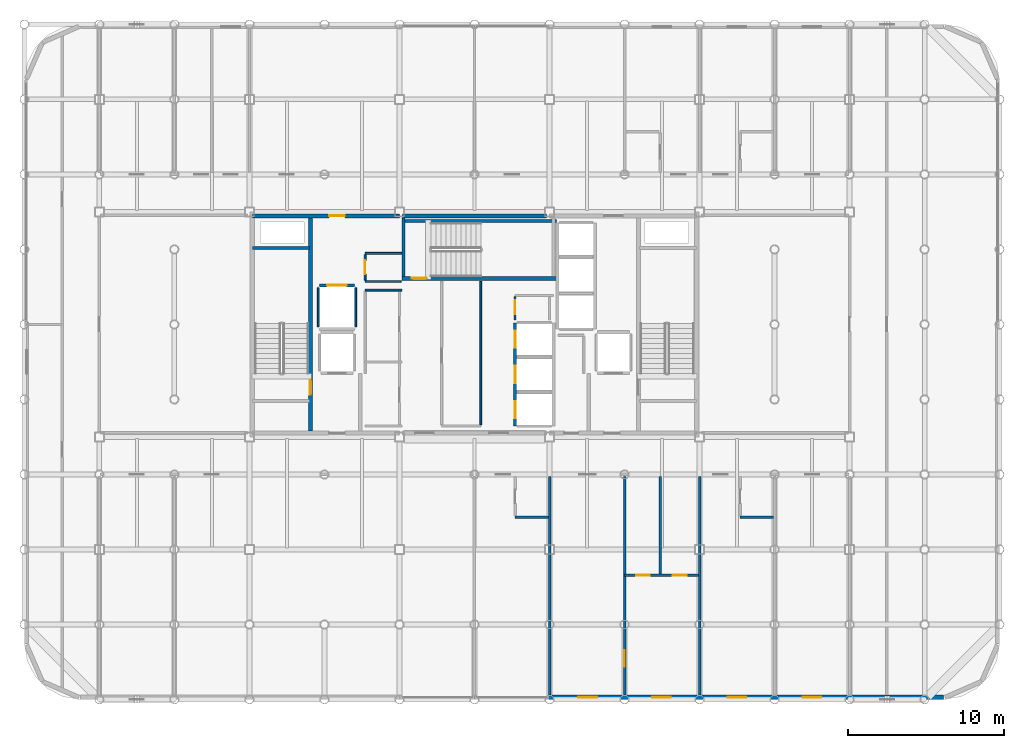
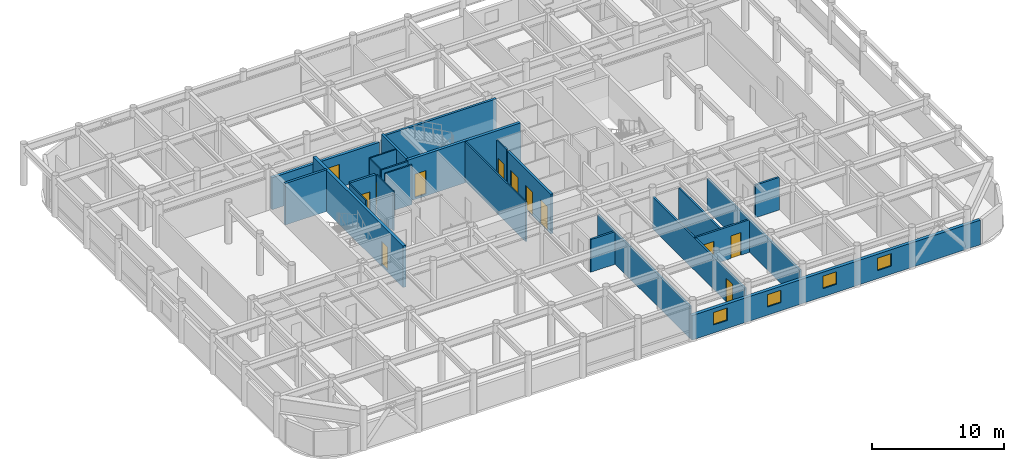
# One storey, part 18 of 22: 25 walls, 12 doors, 4 windows, 16 openings.
"""IFC4 building model written with IfcOpenShell, lengths in metres."""

from ifc_helpers import new_model, si_unit, direction, frame, frame_2d, origin, place, context, subcontext, project, spatial, rectangle, extrude, material, layer, layer_set, type_object, element, fill, save


model = new_model("IFC4")

# Units and contexts
model_context = context("Model", 3, precision=1e-05, world=origin(), true_north=direction((0.0, 1.0)))
body_context = subcontext(model_context, "Body", "Model", "MODEL_VIEW")
ifc_project = project(units=[si_unit("LENGTHUNIT", "METRE"), si_unit("AREAUNIT", "SQUARE_METRE"), si_unit("VOLUMEUNIT", "CUBIC_METRE"), si_unit("PLANEANGLEUNIT", "RADIAN"), si_unit("MASSUNIT", "GRAM", prefix="KILO")], contexts=[model_context])

# Site, building, storey
site_placement = place(None, origin())
site = spatial("IfcSite", under=ifc_project, at=site_placement, CompositionType="ELEMENT")
building_placement = place(site_placement, origin())
building = spatial("IfcBuilding", under=site, at=building_placement, Name="Kallvorn Hotel Tower", CompositionType="ELEMENT")
storey_placement = place(building_placement, frame((0.0, 0.0, 203.050048828125)))
storey = spatial("IfcBuildingStorey", under=building, at=storey_placement, Name="L50", CompositionType="ELEMENT", Elevation=203.050048828125)

# Wall, openings, doors
ifc_material_1 = material(Name="Fire-rated double-layer acoustic gypsum drywall EI 60")
ifc_layer_1 = layer(ifc_material_1, 0.159912109375)
ifc_layer_set_1 = layer_set([ifc_layer_1], Name="WL_DEMISE_160")
wall_type_1 = type_object("IfcWallType", Name="WL_DEMISE_160", PredefinedType="PARTITIONING", material=ifc_layer_set_1)
wall_1_placement = place(storey_placement, frame((9.60009765625, -16.050048828125, 0.0), z_axis=(0.0, 0.0, 1.0), x_axis=(1.0, 0.0, 0.0)))
wall_1 = element("IfcWall", 1, at=wall_1_placement, inside=storey, type_object=wall_type_1, Name="L50 Suite 5002 Executive Bedroom Partition", PredefinedType="PARTITIONING", context=body_context, shape_type="SweptSolid", body=[
    extrude(rectangle(XDim=4.719970703125, YDim=0.159912109375, at=frame_2d((2.35986328125, 0.0))), origin(), (0.0, 0.0, 1.0), 3.02001953125),
])
opening_1_placement = place(wall_1_placement, frame((0.75, 0.0, 0.0)))
opening_1 = element("IfcOpeningElement", 2, at=opening_1_placement, cuts=wall_1, Name="Opening BD-I", PredefinedType="OPENING", context=body_context, shape_type="SweptSolid", body=[
    extrude(rectangle(XDim=0.860107421875, YDim=2.10009765625, at=frame_2d((0.43017578125, 1.050048828125))), frame((0.0, 0.094970703125, 0.0), z_axis=(0.0, -1.0, 0.0), x_axis=(1.0, 0.0, 0.0)), (0.0, 0.0, 1.0), 0.18994140625),
])
opening_2_placement = place(wall_1_placement, frame((3.090087890625, 0.0, 0.0)))
opening_2 = element("IfcOpeningElement", 3, at=opening_2_placement, cuts=wall_1, Name="Opening SVD1", PredefinedType="OPENING", context=body_context, shape_type="SweptSolid", body=[
    extrude(rectangle(XDim=0.89990234375, YDim=2.10009765625, at=frame_2d((0.449951171875, 1.050048828125))), frame((0.0, 0.094970703125, 0.0), z_axis=(0.0, -1.0, 0.0), x_axis=(1.0, 0.0, 0.0)), (0.0, 0.0, 1.0), 0.18994140625),
])
ifc_material_2 = material(Name="Solid-core walnut veneer fire-rated timber door leaf", Category="wood")
door_type_1 = type_object("IfcDoorType", Name="DR_BATH_860x2100", OperationType="NOTDEFINED", PredefinedType="DOOR", material=ifc_material_2)
door_1_placement = place(opening_1_placement, origin())
door_1 = element("IfcDoor", 4, at=door_1_placement, inside=storey, type_object=door_type_1, Name="L50 Suite 5002 En-Suite Bathroom Door", OperationType="SINGLE_SWING_LEFT", OverallHeight=2.10009765625, OverallWidth=0.860107421875, PredefinedType="DOOR", context=body_context, shape_type="SweptSolid", body=[
    extrude(rectangle(XDim=0.860107421875, YDim=2.10009765625, at=frame_2d((0.43017578125, 1.050048828125))), frame((0.0, 0.02490234375, 0.0), z_axis=(0.0, -1.0, 0.0), x_axis=(1.0, 0.0, 0.0)), (0.0, 0.0, 1.0), 0.050048828125),
])
fill(opening_1, door_1)
ifc_material_3 = material(Name="Galvanised painted steel fire-rated door assembly", Category="steel")
door_type_2 = type_object("IfcDoorType", Name="DR_SERV_900x2100", OperationType="NOTDEFINED", PredefinedType="DOOR", material=ifc_material_3)
door_2_placement = place(opening_2_placement, origin())
door_2 = element("IfcDoor", 5, at=door_2_placement, inside=storey, type_object=door_type_2, Name="L50 Suite 5002 Walk-In Dressing Closet Door", OperationType="SINGLE_SWING_LEFT", OverallHeight=2.10009765625, OverallWidth=0.89990234375, PredefinedType="DOOR", context=body_context, shape_type="SweptSolid", body=[
    extrude(rectangle(XDim=0.89990234375, YDim=2.10009765625, at=frame_2d((0.449951171875, 1.050048828125))), frame((0.0, 0.02490234375, 0.0), z_axis=(0.0, -1.0, 0.0), x_axis=(1.0, 0.0, 0.0)), (0.0, 0.0, 1.0), 0.050048828125),
])
fill(opening_2, door_2)

# Walls
wall_2_placement = place(storey_placement, frame((2.590087890625, -12.320068359375, 0.0), z_axis=(0.0, 0.0, 1.0), x_axis=(1.0, 0.0, 0.0)))
element("IfcWall", 6, at=wall_2_placement, inside=storey, type_object=wall_type_1, Name="L50 Suite 5001 Deluxe King Room Partition", PredefinedType="PARTITIONING", context=body_context, shape_type="SweptSolid", body=[
    extrude(rectangle(XDim=2.1298828125, YDim=0.159912109375, at=frame_2d((1.06494140625, 0.0))), origin(), (0.0, 0.0, 1.0), 3.02001953125),
])
wall_3_placement = place(storey_placement, frame((16.989990234375, -12.320068359375, 0.0), z_axis=(0.0, 0.0, 1.0), x_axis=(1.0, 0.0, 0.0)))
element("IfcWall", 7, at=wall_3_placement, inside=storey, type_object=wall_type_1, Name="L50 Suite 5003 Superior Twin Room Partition", PredefinedType="PARTITIONING", context=body_context, shape_type="SweptSolid", body=[
    extrude(rectangle(XDim=2.130126953125, YDim=0.159912109375, at=frame_2d((1.06494140625, 0.0))), origin(), (0.0, 0.0, 1.0), 3.02001953125),
])
wall_4_placement = place(storey_placement, frame((4.800048828125, -23.7099609375, 0.0), z_axis=(0.0, 0.0, 1.0), x_axis=(0.0, 1.0, 0.0)))
element("IfcWall", 8, at=wall_4_placement, inside=storey, type_object=wall_type_1, Name="L50 Suite 5001 Deluxe King Room Partition", PredefinedType="PARTITIONING", context=body_context, shape_type="SweptSolid", body=[
    extrude(rectangle(XDim=13.989990234375, YDim=0.159912109375, at=frame_2d((6.9951171875, 0.0))), origin(), (0.0, 0.0, 1.0), 2.969970703125),
])

# Wall, opening, door
wall_5_placement = place(storey_placement, frame((9.60009765625, -23.7099609375, 0.0), z_axis=(0.0, 0.0, 1.0), x_axis=(0.0, 1.0, 0.0)))
wall_5 = element("IfcWall", 9, at=wall_5_placement, inside=storey, type_object=wall_type_1, Name="L50 Suite 5002 Executive Bedroom Partition", PredefinedType="PARTITIONING", context=body_context, shape_type="SweptSolid", body=[
    extrude(rectangle(XDim=13.989990234375, YDim=0.159912109375, at=frame_2d((6.9951171875, 0.0))), origin(), (0.0, 0.0, 1.0), 2.969970703125),
])
opening_3_placement = place(wall_5_placement, frame((1.802978515625, 0.0, 0.0)))
opening_3 = element("IfcOpeningElement", 10, at=opening_3_placement, cuts=wall_5, Name="Opening GD2", PredefinedType="OPENING", context=body_context, shape_type="SweptSolid", body=[
    extrude(rectangle(XDim=1.050048828125, YDim=2.199951171875, at=frame_2d((0.52490234375, 1.10009765625))), frame((0.0, 0.094970703125, 0.0), z_axis=(0.0, -1.0, 0.0), x_axis=(1.0, 0.0, 0.0)), (0.0, 0.0, 1.0), 0.18994140625),
])
ifc_material_4 = material(Name="Solid-core walnut veneer fire-rated timber door leaf", Category="wood")
door_type_3 = type_object("IfcDoorType", Name="DR_SUITE_1050x2200", OperationType="NOTDEFINED", PredefinedType="DOOR", material=ifc_material_4)
door_3_placement = place(opening_3_placement, origin())
door_3 = element("IfcDoor", 11, at=door_3_placement, inside=storey, type_object=door_type_3, Name="L50 Suite 5002 Executive Bedroom Door", OperationType="SINGLE_SWING_LEFT", OverallHeight=2.199951171875, OverallWidth=1.050048828125, PredefinedType="DOOR", context=body_context, shape_type="SweptSolid", body=[
    extrude(rectangle(XDim=1.050048828125, YDim=2.199951171875, at=frame_2d((0.52490234375, 1.10009765625))), frame((0.0, 0.02490234375, 0.0), z_axis=(0.0, -1.0, 0.0), x_axis=(1.0, 0.0, 0.0)), (0.0, 0.0, 1.0), 0.050048828125),
])
fill(opening_3, door_3)

# Wall
wall_6_placement = place(storey_placement, frame((14.39990234375, -23.7099609375, 0.0), z_axis=(0.0, 0.0, 1.0), x_axis=(0.0, 1.0, 0.0)))
element("IfcWall", 12, at=wall_6_placement, inside=storey, type_object=wall_type_1, Name="L50 Suite 5002 Executive Bedroom Partition", PredefinedType="PARTITIONING", context=body_context, shape_type="SweptSolid", body=[
    extrude(rectangle(XDim=13.989990234375, YDim=0.159912109375, at=frame_2d((6.9951171875, 0.0))), origin(), (0.0, 0.0, 1.0), 2.969970703125),
])

# Wall, openings, windows
ifc_material_5 = material(Name="Precast basalt-clad insulated concrete wall C40/50", Category="masonry")
ifc_layer_2 = layer(ifc_material_5, 0.280029296875)
ifc_layer_set_2 = layer_set([ifc_layer_2], Name="WL_EXT_LOGGIA_280")
wall_type_2 = type_object("IfcWallType", Name="WL_EXT_LOGGIA_280", PredefinedType="SOLIDWALL", material=ifc_layer_set_2)
wall_7_placement = place(storey_placement, frame((4.75, -23.860107421875, 0.0), z_axis=(0.0, 0.0, 1.0), x_axis=(1.0, 0.0, 0.0)))
wall_7 = element("IfcWall", 13, at=wall_7_placement, inside=storey, type_object=wall_type_2, Name="L50 Exterior Envelope Wall EW-L50-SE", PredefinedType="SOLIDWALL", context=body_context, shape_type="SweptSolid", body=[
    extrude(rectangle(XDim=25.25, YDim=0.280029296875, at=frame_2d((12.625, 0.0))), origin(), (0.0, 0.0, 1.0), 2.27001953125),
])
opening_4_placement = place(wall_7_placement, frame((16.25, 0.0, 0.75)))
opening_4 = element("IfcOpeningElement", 14, at=opening_4_placement, cuts=wall_7, Name="Opening W06A", PredefinedType="OPENING", context=body_context, shape_type="SweptSolid", body=[
    extrude(rectangle(XDim=1.199951171875, YDim=1.14990234375, at=frame_2d((0.60009765625, 0.574951171875))), frame((0.0, 0.155029296875, 0.0), z_axis=(0.0, -1.0, 0.0), x_axis=(1.0, 0.0, 0.0)), (0.0, 0.0, 1.0), 0.31005859375),
])
opening_5_placement = place(wall_7_placement, frame((1.889892578125, 0.0, 0.75)))
opening_5 = element("IfcOpeningElement", 15, at=opening_5_placement, cuts=wall_7, Name="Opening W06A", PredefinedType="OPENING", context=body_context, shape_type="SweptSolid", body=[
    extrude(rectangle(XDim=1.199951171875, YDim=1.14990234375, at=frame_2d((0.60009765625, 0.574951171875))), frame((0.0, 0.155029296875, 0.0), z_axis=(0.0, -1.0, 0.0), x_axis=(1.0, 0.0, 0.0)), (0.0, 0.0, 1.0), 0.31005859375),
])
opening_6_placement = place(wall_7_placement, frame((6.610107421875, 0.0, 0.75)))
opening_6 = element("IfcOpeningElement", 16, at=opening_6_placement, cuts=wall_7, Name="Opening W06A", PredefinedType="OPENING", context=body_context, shape_type="SweptSolid", body=[
    extrude(rectangle(XDim=1.199951171875, YDim=1.14990234375, at=frame_2d((0.60009765625, 0.574951171875))), frame((0.0, 0.155029296875, 0.0), z_axis=(0.0, -1.0, 0.0), x_axis=(1.0, 0.0, 0.0)), (0.0, 0.0, 1.0), 0.31005859375),
])
opening_7_placement = place(wall_7_placement, frame((11.449951171875, 0.0, 0.75)))
opening_7 = element("IfcOpeningElement", 17, at=opening_7_placement, cuts=wall_7, Name="Opening W06A", PredefinedType="OPENING", context=body_context, shape_type="SweptSolid", body=[
    extrude(rectangle(XDim=1.199951171875, YDim=1.14990234375, at=frame_2d((0.60009765625, 0.574951171875))), frame((0.0, 0.155029296875, 0.0), z_axis=(0.0, -1.0, 0.0), x_axis=(1.0, 0.0, 0.0)), (0.0, 0.0, 1.0), 0.31005859375),
])
ifc_material_6 = material(Name="Triple-glazed low-e acoustic solar-control dark glass", Category="glass")
window_type = type_object("IfcWindowType", Name="WN_HTL_1200x1150", PartitioningType="SINGLE_PANEL", PredefinedType="WINDOW", material=ifc_material_6)
window_1_placement = place(opening_4_placement, origin())
window_1 = element("IfcWindow", 18, at=window_1_placement, inside=storey, type_object=window_type, Name="L50 Guestroom Exterior Window 01", OverallHeight=1.14990234375, OverallWidth=1.199951171875, PartitioningType="SINGLE_PANEL", PredefinedType="WINDOW", context=body_context, shape_type="SweptSolid", body=[
    extrude(rectangle(XDim=1.199951171875, YDim=1.14990234375, at=frame_2d((0.60009765625, 0.574951171875))), frame((0.0, 0.030029296875, 0.0), z_axis=(0.0, -1.0, 0.0), x_axis=(1.0, 0.0, 0.0)), (0.0, 0.0, 1.0), 0.06005859375),
])
fill(opening_4, window_1)
window_2_placement = place(opening_5_placement, origin())
window_2 = element("IfcWindow", 19, at=window_2_placement, inside=storey, type_object=window_type, Name="L50 Guestroom Exterior Window 04", OverallHeight=1.14990234375, OverallWidth=1.199951171875, PartitioningType="SINGLE_PANEL", PredefinedType="WINDOW", context=body_context, shape_type="SweptSolid", body=[
    extrude(rectangle(XDim=1.199951171875, YDim=1.14990234375, at=frame_2d((0.60009765625, 0.574951171875))), frame((0.0, 0.030029296875, 0.0), z_axis=(0.0, -1.0, 0.0), x_axis=(1.0, 0.0, 0.0)), (0.0, 0.0, 1.0), 0.06005859375),
])
fill(opening_5, window_2)
window_3_placement = place(opening_6_placement, origin())
window_3 = element("IfcWindow", 20, at=window_3_placement, inside=storey, type_object=window_type, Name="L50 Guestroom Exterior Window 05", OverallHeight=1.14990234375, OverallWidth=1.199951171875, PartitioningType="SINGLE_PANEL", PredefinedType="WINDOW", context=body_context, shape_type="SweptSolid", body=[
    extrude(rectangle(XDim=1.199951171875, YDim=1.14990234375, at=frame_2d((0.60009765625, 0.574951171875))), frame((0.0, 0.030029296875, 0.0), z_axis=(0.0, -1.0, 0.0), x_axis=(1.0, 0.0, 0.0)), (0.0, 0.0, 1.0), 0.06005859375),
])
fill(opening_6, window_3)
window_4_placement = place(opening_7_placement, origin())
window_4 = element("IfcWindow", 21, at=window_4_placement, inside=storey, type_object=window_type, Name="L50 Guestroom Exterior Window 06", OverallHeight=1.14990234375, OverallWidth=1.199951171875, PartitioningType="SINGLE_PANEL", PredefinedType="WINDOW", context=body_context, shape_type="SweptSolid", body=[
    extrude(rectangle(XDim=1.199951171875, YDim=1.14990234375, at=frame_2d((0.60009765625, 0.574951171875))), frame((0.0, 0.030029296875, 0.0), z_axis=(0.0, -1.0, 0.0), x_axis=(1.0, 0.0, 0.0)), (0.0, 0.0, 1.0), 0.06005859375),
])
fill(opening_7, window_4)

# Walls
ifc_material_7 = material(Name="Concrete C40/50", Category="concrete")
ifc_layer_3 = layer(ifc_material_7, 0.199951171875)
ifc_layer_set_3 = layer_set([ifc_layer_3], Name="WL_HOIST_200")
wall_type_3 = type_object("IfcWallType", Name="WL_HOIST_200", PredefinedType="SOLIDWALL", material=ifc_layer_set_3)
wall_8_placement = place(storey_placement, frame((-14.199951171875, 4.89990234375, -0.179931640625), z_axis=(0.0, 0.0, 1.0), x_axis=(1.0, 0.0, 0.0)))
element("IfcWall", 22, at=wall_8_placement, inside=storey, type_object=wall_type_3, Name="L50 Stair ST1 North Wall", PredefinedType="SOLIDWALL", context=body_context, shape_type="SweptSolid", body=[
    extrude(rectangle(XDim=3.64990234375, YDim=0.199951171875, at=frame_2d((1.824951171875, 0.0))), origin(), (0.0, 0.0, 1.0), 3.849853515625),
])
wall_9_placement = place(storey_placement, frame((-4.64990234375, 6.610107421875, -0.179931640625), z_axis=(0.0, 0.0, 1.0), x_axis=(1.0, 0.0, 0.0)))
element("IfcWall", 23, at=wall_9_placement, inside=storey, type_object=wall_type_3, Name="L50 Stair ST3 Shaft North Wall", PredefinedType="SOLIDWALL", context=body_context, shape_type="SweptSolid", body=[
    extrude(rectangle(XDim=9.89990234375, YDim=0.199951171875, at=frame_2d((4.949951171875, 0.0))), origin(), (0.0, 0.0, 1.0), 3.849853515625),
])
wall_10_placement = place(storey_placement, frame((-4.550048828125, 3.080078125, -0.179931640625), z_axis=(0.0, 0.0, 1.0), x_axis=(0.0, 1.0, 0.0)))
element("IfcWall", 24, at=wall_10_placement, inside=storey, type_object=wall_type_3, Name="L50 Stair ST3 West Wall", PredefinedType="SOLIDWALL", context=body_context, shape_type="SweptSolid", body=[
    extrude(rectangle(XDim=3.739990234375, YDim=0.199951171875, at=frame_2d((1.8701171875, 0.0))), origin(), (0.0, 0.0, 1.0), 3.849853515625),
])

# Wall, openings, doors
wall_11_placement = place(storey_placement, frame((2.60009765625, -6.5, 0.0), z_axis=(0.0, 0.0, 1.0), x_axis=(0.0, 1.0, 0.0)))
wall_11 = element("IfcWall", 25, at=wall_11_placement, inside=storey, type_object=wall_type_3, Name="L50 Lift Bank B3A Landing Wall", PredefinedType="SOLIDWALL", context=body_context, shape_type="SweptSolid", body=[
    extrude(rectangle(XDim=6.60009765625, YDim=0.199951171875, at=frame_2d((3.300048828125, 0.0))), origin(), (0.0, 0.0, 1.0), 3.669921875),
])
opening_8_placement = place(wall_11_placement, frame((0.5, 0.0, 0.0)))
opening_8 = element("IfcOpeningElement", 26, at=opening_8_placement, cuts=wall_11, Name="Opening LD-PL-09", PredefinedType="OPENING", context=body_context, shape_type="SweptSolid", body=[
    extrude(rectangle(XDim=1.10009765625, YDim=2.199951171875, at=frame_2d((0.550048828125, 1.10009765625))), frame((0.0, 0.114990234375, 0.0), z_axis=(0.0, -1.0, 0.0), x_axis=(1.0, 0.0, 0.0)), (0.0, 0.0, 1.0), 0.22998046875),
])
opening_9_placement = place(wall_11_placement, frame((2.75, 0.0, 0.0)))
opening_9 = element("IfcOpeningElement", 27, at=opening_9_placement, cuts=wall_11, Name="Opening LD-PL-10", PredefinedType="OPENING", context=body_context, shape_type="SweptSolid", body=[
    extrude(rectangle(XDim=1.10009765625, YDim=2.199951171875, at=frame_2d((0.550048828125, 1.10009765625))), frame((0.0, 0.114990234375, 0.0), z_axis=(0.0, -1.0, 0.0), x_axis=(1.0, 0.0, 0.0)), (0.0, 0.0, 1.0), 0.22998046875),
])
opening_10_placement = place(wall_11_placement, frame((5.0, 0.0, 0.0)))
opening_10 = element("IfcOpeningElement", 28, at=opening_10_placement, cuts=wall_11, Name="Opening LD-PL-11", PredefinedType="OPENING", context=body_context, shape_type="SweptSolid", body=[
    extrude(rectangle(XDim=1.10009765625, YDim=2.199951171875, at=frame_2d((0.550048828125, 1.10009765625))), frame((0.0, 0.114990234375, 0.0), z_axis=(0.0, -1.0, 0.0), x_axis=(1.0, 0.0, 0.0)), (0.0, 0.0, 1.0), 0.22998046875),
])
ifc_material_8 = material(Name="Brushed stainless-steel automatic sliding lift landing door", Category="steel")
door_type_4 = type_object("IfcDoorType", Name="LD_PASS_1100x2200", OperationType="SLIDING_TO_LEFT", PredefinedType="DOOR", material=ifc_material_8)
door_4_placement = place(opening_8_placement, origin())
door_4 = element("IfcDoor", 29, at=door_4_placement, inside=storey, type_object=door_type_4, Name="L50 Lift Landing Sliding Door LD-PL-09", OperationType="SLIDING_TO_LEFT", OverallHeight=2.199951171875, OverallWidth=1.10009765625, PredefinedType="DOOR", context=body_context, shape_type="SweptSolid", body=[
    extrude(rectangle(XDim=1.10009765625, YDim=2.199951171875, at=frame_2d((0.550048828125, 1.10009765625))), frame((0.0, 0.02490234375, 0.0), z_axis=(0.0, -1.0, 0.0), x_axis=(1.0, 0.0, 0.0)), (0.0, 0.0, 1.0), 0.050048828125),
])
fill(opening_8, door_4)
door_5_placement = place(opening_9_placement, origin())
door_5 = element("IfcDoor", 30, at=door_5_placement, inside=storey, type_object=door_type_4, Name="L50 Lift Landing Sliding Door LD-PL-10", OperationType="SLIDING_TO_LEFT", OverallHeight=2.199951171875, OverallWidth=1.10009765625, PredefinedType="DOOR", context=body_context, shape_type="SweptSolid", body=[
    extrude(rectangle(XDim=1.10009765625, YDim=2.199951171875, at=frame_2d((0.550048828125, 1.10009765625))), frame((0.0, 0.02490234375, 0.0), z_axis=(0.0, -1.0, 0.0), x_axis=(1.0, 0.0, 0.0)), (0.0, 0.0, 1.0), 0.050048828125),
])
fill(opening_9, door_5)
door_6_placement = place(opening_10_placement, origin())
door_6 = element("IfcDoor", 31, at=door_6_placement, inside=storey, type_object=door_type_4, Name="L50 Lift Landing Sliding Door LD-PL-11", OperationType="SLIDING_TO_LEFT", OverallHeight=2.199951171875, OverallWidth=1.10009765625, PredefinedType="DOOR", context=body_context, shape_type="SweptSolid", body=[
    extrude(rectangle(XDim=1.10009765625, YDim=2.199951171875, at=frame_2d((0.550048828125, 1.10009765625))), frame((0.0, 0.02490234375, 0.0), z_axis=(0.0, -1.0, 0.0), x_axis=(1.0, 0.0, 0.0)), (0.0, 0.0, 1.0), 0.050048828125),
])
fill(opening_10, door_6)

# Wall, opening, door
wall_12_placement = place(storey_placement, frame((-9.919921875, 2.5, 0.0), z_axis=(0.0, 0.0, 1.0), x_axis=(1.0, 0.0, 0.0)))
wall_12 = element("IfcWall", 32, at=wall_12_placement, inside=storey, type_object=wall_type_3, Name="L50 SV-01 Landing Wall", PredefinedType="SOLIDWALL", context=body_context, shape_type="SweptSolid", body=[
    extrude(rectangle(XDim=2.239990234375, YDim=0.199951171875, at=frame_2d((1.1201171875, 0.0))), origin(), (0.0, 0.0, 1.0), 3.669921875),
])
opening_11_placement = place(wall_12_placement, frame((0.4951171875, 0.0, 0.0)))
opening_11 = element("IfcOpeningElement", 33, at=opening_11_placement, cuts=wall_12, Name="Opening LD-SV-01", PredefinedType="OPENING", context=body_context, shape_type="SweptSolid", body=[
    extrude(rectangle(XDim=1.25, YDim=2.25, at=frame_2d((0.625, 1.125))), frame((0.0, 0.114990234375, 0.0), z_axis=(0.0, -1.0, 0.0), x_axis=(1.0, 0.0, 0.0)), (0.0, 0.0, 1.0), 0.22998046875),
])
ifc_material_9 = material(Name="Brushed stainless-steel automatic sliding lift landing door", Category="steel")
door_type_5 = type_object("IfcDoorType", Name="LD_SERV_1250x2250", OperationType="SLIDING_TO_LEFT", PredefinedType="DOOR", material=ifc_material_9)
door_7_placement = place(opening_11_placement, origin())
door_7 = element("IfcDoor", 34, at=door_7_placement, inside=storey, type_object=door_type_5, Name="L50 Lift Landing Sliding Door LD-SV-01", OperationType="SLIDING_TO_LEFT", OverallHeight=2.25, OverallWidth=1.25, PredefinedType="DOOR", context=body_context, shape_type="SweptSolid", body=[
    extrude(rectangle(XDim=1.25, YDim=2.25, at=frame_2d((0.625, 1.125))), frame((0.0, 0.02490234375, 0.0), z_axis=(0.0, -1.0, 0.0), x_axis=(1.0, 0.0, 0.0)), (0.0, 0.0, 1.0), 0.050048828125),
])
fill(opening_11, door_7)

# Walls
ifc_material_10 = material(Name="Fire-rated double-layer acoustic gypsum drywall EI 60")
ifc_layer_4 = layer(ifc_material_10, 0.1201171875)
ifc_layer_set_4 = layer_set([ifc_layer_4], Name="WL_INT_120")
wall_type_4 = type_object("IfcWallType", Name="WL_INT_120", PredefinedType="PARTITIONING", material=ifc_layer_set_4)
for number, where, z_axis, x_axis, name in (
    (35, (-10.0, -0.159912109375, 0.0), (0.0, 0.0, 1.0), (0.0, 1.0, 0.0), "L50 SV-01 West Shaft Wall"),
    (36, (-7.60009765625, -0.159912109375, 0.0), (0.0, 0.0, 1.0), (0.0, 1.0, 0.0), "L50 SV-01 East Shaft Wall"),
):
    element("IfcWall", number, at=place(storey_placement, frame(where, z_axis=z_axis, x_axis=x_axis)), inside=storey, type_object=wall_type_4, Name=name, PredefinedType="PARTITIONING", context=body_context, shape_type="SweptSolid", body=[
        extrude(rectangle(XDim=2.52001953125, YDim=0.1201171875, at=frame_2d((1.260009765625, 0.0))), origin(), (0.0, 0.0, 1.0), 3.669921875),
    ])
wall_13_placement = place(storey_placement, frame((-7.0, 2.199951171875, 0.0), z_axis=(0.0, 0.0, 1.0), x_axis=(1.0, 0.0, 0.0)))
element("IfcWall", 37, at=wall_13_placement, inside=storey, type_object=wall_type_4, Name="L50 Recaptured Central Linen Store Partition", PredefinedType="PARTITIONING", context=body_context, shape_type="SweptSolid", body=[
    extrude(rectangle(XDim=2.35009765625, YDim=0.1201171875, at=frame_2d((1.175048828125, 0.0))), origin(), (0.0, 0.0, 1.0), 3.669921875),
])
wall_14_placement = place(storey_placement, frame((-7.0, 2.75, 0.0), z_axis=(0.0, 0.0, 1.0), x_axis=(1.0, 0.0, 0.0)))
element("IfcWall", 38, at=wall_14_placement, inside=storey, type_object=wall_type_4, Name="L50 Recaptured North Valet Closet Partition", PredefinedType="PARTITIONING", context=body_context, shape_type="SweptSolid", body=[
    extrude(rectangle(XDim=2.31005859375, YDim=0.1201171875, at=frame_2d((1.155029296875, 0.0))), origin(), (0.0, 0.0, 1.0), 3.669921875),
])
wall_15_placement = place(storey_placement, frame((-7.0, 4.550048828125, 0.0), z_axis=(0.0, 0.0, 1.0), x_axis=(1.0, 0.0, 0.0)))
element("IfcWall", 39, at=wall_15_placement, inside=storey, type_object=wall_type_4, Name="L50 Recaptured North Valet Closet Partition", PredefinedType="PARTITIONING", context=body_context, shape_type="SweptSolid", body=[
    extrude(rectangle(XDim=2.35009765625, YDim=0.1201171875, at=frame_2d((1.175048828125, 0.0))), origin(), (0.0, 0.0, 1.0), 3.669921875),
])

# Wall, opening, door
wall_16_placement = place(storey_placement, frame((-7.0, 2.8349609375, 0.0), z_axis=(0.0, 0.0, 1.0), x_axis=(0.0, 1.0, 0.0)))
wall_16 = element("IfcWall", 40, at=wall_16_placement, inside=storey, type_object=wall_type_4, Name="L50 Recaptured North Valet Closet Partition", PredefinedType="PARTITIONING", context=body_context, shape_type="SweptSolid", body=[
    extrude(rectangle(XDim=1.630126953125, YDim=0.1201171875, at=frame_2d((0.81494140625, 0.0))), origin(), (0.0, 0.0, 1.0), 3.669921875),
])
opening_12_placement = place(wall_16_placement, frame((0.364990234375, 0.0, 0.0)))
opening_12 = element("IfcOpeningElement", 41, at=opening_12_placement, cuts=wall_16, Name="Opening SVD1", PredefinedType="OPENING", context=body_context, shape_type="SweptSolid", body=[
    extrude(rectangle(XDim=0.89990234375, YDim=2.10009765625, at=frame_2d((0.449951171875, 1.050048828125))), frame((0.0, 0.074951171875, 0.0), z_axis=(0.0, -1.0, 0.0), x_axis=(1.0, 0.0, 0.0)), (0.0, 0.0, 1.0), 0.150146484375),
])
door_8_placement = place(opening_12_placement, origin())
door_8 = element("IfcDoor", 42, at=door_8_placement, inside=storey, type_object=door_type_2, Name="L50 Recaptured North Valet Closet Door", OperationType="SINGLE_SWING_RIGHT", OverallHeight=2.10009765625, OverallWidth=0.89990234375, PredefinedType="DOOR", context=body_context, shape_type="SweptSolid", body=[
    extrude(rectangle(XDim=0.89990234375, YDim=2.10009765625, at=frame_2d((0.449951171875, 1.050048828125))), frame((0.0, 0.02490234375, 0.0), z_axis=(0.0, -1.0, 0.0), x_axis=(1.0, 0.0, 0.0)), (0.0, 0.0, 1.0), 0.050048828125),
])
fill(opening_12, door_8)

# Wall
wall_17_placement = place(storey_placement, frame((0.39990234375, -6.4150390625, 0.0), z_axis=(0.0, 0.0, 1.0), x_axis=(0.0, 1.0, 0.0)))
element("IfcWall", 43, at=wall_17_placement, inside=storey, type_object=wall_type_4, Name="L50 Altitude Executive Pantry and Ice Room Partition", PredefinedType="PARTITIONING", context=body_context, shape_type="SweptSolid", body=[
    extrude(rectangle(XDim=9.1650390625, YDim=0.1201171875, at=frame_2d((4.58251953125, 0.0))), origin(), (0.0, 0.0, 1.0), 3.669921875),
])

# Wall, opening, door
wall_18_placement = place(storey_placement, frame((2.59326171875, 0.300048828125, 0.0), z_axis=(0.0, 0.0, 1.0), x_axis=(0.0, 1.0, 0.0)))
wall_18 = element("IfcWall", 44, at=wall_18_placement, inside=storey, type_object=wall_type_4, Name="L50 East Core Ice Pantry Partition", PredefinedType="PARTITIONING", context=body_context, shape_type="SweptSolid", body=[
    extrude(rectangle(XDim=1.46484375, YDim=0.1201171875, at=frame_2d((0.732421875, 0.0))), origin(), (0.0, 0.0, 1.0), 3.669921875),
])
opening_13_placement = place(wall_18_placement, frame((0.344970703125, 0.0, 0.0)))
opening_13 = element("IfcOpeningElement", 45, at=opening_13_placement, cuts=wall_18, Name="Opening SVD1", PredefinedType="OPENING", context=body_context, shape_type="SweptSolid", body=[
    extrude(rectangle(XDim=0.89990234375, YDim=2.10009765625, at=frame_2d((0.449951171875, 1.050048828125))), frame((0.0, 0.074951171875, 0.0), z_axis=(0.0, -1.0, 0.0), x_axis=(1.0, 0.0, 0.0)), (0.0, 0.0, 1.0), 0.150146484375),
])
door_9_placement = place(opening_13_placement, origin())
door_9 = element("IfcDoor", 46, at=door_9_placement, inside=storey, type_object=door_type_2, Name="L50 East Core Ice Pantry Door", OperationType="SINGLE_SWING_RIGHT", OverallHeight=2.10009765625, OverallWidth=0.89990234375, PredefinedType="DOOR", context=body_context, shape_type="SweptSolid", body=[
    extrude(rectangle(XDim=0.89990234375, YDim=2.10009765625, at=frame_2d((0.449951171875, 1.050048828125))), frame((0.0, 0.02490234375, 0.0), z_axis=(0.0, -1.0, 0.0), x_axis=(1.0, 0.0, 0.0)), (0.0, 0.0, 1.0), 0.050048828125),
])
fill(opening_13, door_9)

# Wall
ifc_material_11 = material(Name="Fire-rated double-layer acoustic gypsum drywall EI 60")
ifc_layer_5 = layer(ifc_material_11, 0.14990234375)
ifc_layer_set_5 = layer_set([ifc_layer_5], Name="WL_PART_150")
wall_type_5 = type_object("IfcWallType", Name="WL_PART_150", PredefinedType="PARTITIONING", material=ifc_layer_set_5)
wall_19_placement = place(storey_placement, frame((11.885009765625, -15.965087890625, 0.0), z_axis=(0.0, 0.0, 1.0), x_axis=(0.0, 1.0, 0.0)))
element("IfcWall", 47, at=wall_19_placement, inside=storey, type_object=wall_type_5, Name="L50 Suite 5002 Walk-In Dressing Closet Partition", PredefinedType="PARTITIONING", context=body_context, shape_type="SweptSolid", body=[
    extrude(rectangle(XDim=6.2451171875, YDim=0.14990234375, at=frame_2d((3.12255859375, 0.0))), origin(), (0.0, 0.0, 1.0), 2.969970703125),
])

# Wall, opening, door
ifc_material_12 = material(Name="Concrete C40/50", Category="concrete")
ifc_layer_6 = layer(ifc_material_12, 0.25)
ifc_layer_set_6 = layer_set([ifc_layer_6], Name="WL_SHAFT_250")
wall_type_6 = type_object("IfcWallType", Name="WL_SHAFT_250", PredefinedType="SOLIDWALL", material=ifc_layer_set_6)
wall_20_placement = place(storey_placement, frame((-14.199951171875, 6.949951171875, 0.0), z_axis=(0.0, 0.0, 1.0), x_axis=(1.0, 0.0, 0.0)))
wall_20 = element("IfcWall", 48, at=wall_20_placement, inside=storey, type_object=wall_type_6, Name="L50 Core North-West Wall", PredefinedType="SOLIDWALL", context=body_context, shape_type="SweptSolid", body=[
    extrude(rectangle(XDim=9.39990234375, YDim=0.25, at=frame_2d((4.699951171875, 0.0))), origin(), (0.0, 0.0, 1.0), 2.969970703125),
])
opening_14_placement = place(wall_20_placement, frame((4.89990234375, 0.0, 0.0)))
opening_14 = element("IfcOpeningElement", 49, at=opening_14_placement, cuts=wall_20, Name="Opening FD1", PredefinedType="OPENING", context=body_context, shape_type="SweptSolid", body=[
    extrude(rectangle(XDim=1.0, YDim=2.14990234375, at=frame_2d((0.5, 1.074951171875))), frame((0.0, 0.139892578125, 0.0), z_axis=(0.0, -1.0, 0.0), x_axis=(1.0, 0.0, 0.0)), (0.0, 0.0, 1.0), 0.280029296875),
])
ifc_material_13 = material(Name="Galvanised painted steel fire-rated door assembly", Category="steel")
door_type_6 = type_object("IfcDoorType", Name="DR_FFL_1000x2150", OperationType="NOTDEFINED", PredefinedType="DOOR", material=ifc_material_13)
door_10_placement = place(opening_14_placement, origin())
door_10 = element("IfcDoor", 50, at=door_10_placement, inside=storey, type_object=door_type_6, Name="L50 Service Lift Lobby Door", OperationType="SINGLE_SWING_RIGHT", OverallHeight=2.14990234375, OverallWidth=1.0, PredefinedType="DOOR", context=body_context, shape_type="SweptSolid", body=[
    extrude(rectangle(XDim=1.0, YDim=2.14990234375, at=frame_2d((0.5, 1.074951171875))), frame((0.0, 0.02490234375, 0.0), z_axis=(0.0, -1.0, 0.0), x_axis=(1.0, 0.0, 0.0)), (0.0, 0.0, 1.0), 0.050048828125),
])
fill(opening_14, door_10)

# Wall
wall_21_placement = place(storey_placement, frame((-4.60009765625, 6.949951171875, 0.0), z_axis=(0.0, 0.0, 1.0), x_axis=(1.0, 0.0, 0.0)))
element("IfcWall", 51, at=wall_21_placement, inside=storey, type_object=wall_type_6, Name="L50 Core North-Central Wall", PredefinedType="SOLIDWALL", context=body_context, shape_type="SweptSolid", body=[
    extrude(rectangle(XDim=9.2001953125, YDim=0.25, at=frame_2d((4.60009765625, 0.0))), origin(), (0.0, 0.0, 1.0), 2.969970703125),
])

# Wall, opening, door
wall_22_placement = place(storey_placement, frame((-10.5, -6.820068359375, -0.179931640625), z_axis=(0.0, 0.0, 1.0), x_axis=(0.0, 1.0, 0.0)))
wall_22 = element("IfcWall", 52, at=wall_22_placement, inside=storey, type_object=wall_type_6, Name="L50 Stair ST1 Shaft Wall", PredefinedType="SOLIDWALL", context=body_context, shape_type="SweptSolid", body=[
    extrude(rectangle(XDim=13.64013671875, YDim=0.25, at=frame_2d((6.820068359375, 0.0))), origin(), (0.0, 0.0, 1.0), 3.849853515625),
])
opening_15_placement = place(wall_22_placement, frame((2.320068359375, 0.0, 0.179931640625)))
opening_15 = element("IfcOpeningElement", 53, at=opening_15_placement, cuts=wall_22, Name="Opening SD1", PredefinedType="OPENING", context=body_context, shape_type="SweptSolid", body=[
    extrude(rectangle(XDim=0.949951171875, YDim=2.14990234375, at=frame_2d((0.47509765625, 1.074951171875))), frame((0.0, 0.139892578125, 0.0), z_axis=(0.0, -1.0, 0.0), x_axis=(1.0, 0.0, 0.0)), (0.0, 0.0, 1.0), 0.280029296875),
])
ifc_material_14 = material(Name="Galvanised painted steel fire-rated door assembly", Category="steel")
door_type_7 = type_object("IfcDoorType", Name="DR_STAIR_950x2150", OperationType="NOTDEFINED", PredefinedType="DOOR", material=ifc_material_14)
door_11_placement = place(opening_15_placement, origin())
door_11 = element("IfcDoor", 54, at=door_11_placement, inside=storey, type_object=door_type_7, Name="L50 Exit Stair ST1 Fire Door", OperationType="SINGLE_SWING_LEFT", OverallHeight=2.14990234375, OverallWidth=0.949951171875, PredefinedType="DOOR", context=body_context, shape_type="SweptSolid", body=[
    extrude(rectangle(XDim=0.949951171875, YDim=2.14990234375, at=frame_2d((0.47509765625, 1.074951171875))), frame((0.0, 0.02490234375, 0.0), z_axis=(0.0, -1.0, 0.0), x_axis=(1.0, 0.0, 0.0)), (0.0, 0.0, 1.0), 0.050048828125),
])
fill(opening_15, door_11)

wall_23_placement = place(storey_placement, frame((-4.64990234375, 2.949951171875, -0.179931640625), z_axis=(0.0, 0.0, 1.0), x_axis=(1.0, 0.0, 0.0)))
wall_23 = element("IfcWall", 55, at=wall_23_placement, inside=storey, type_object=wall_type_6, Name="L50 Stair ST3 Shaft South Wall", PredefinedType="SOLIDWALL", context=body_context, shape_type="SweptSolid", body=[
    extrude(rectangle(XDim=9.89990234375, YDim=0.25, at=frame_2d((4.949951171875, 0.0))), origin(), (0.0, 0.0, 1.0), 3.849853515625),
])
opening_16_placement = place(wall_23_placement, frame((0.64990234375, 0.0, 0.179931640625)))
opening_16 = element("IfcOpeningElement", 56, at=opening_16_placement, cuts=wall_23, Name="Opening SD1", PredefinedType="OPENING", context=body_context, shape_type="SweptSolid", body=[
    extrude(rectangle(XDim=0.949951171875, YDim=2.14990234375, at=frame_2d((0.47509765625, 1.074951171875))), frame((0.0, 0.139892578125, 0.0), z_axis=(0.0, -1.0, 0.0), x_axis=(1.0, 0.0, 0.0)), (0.0, 0.0, 1.0), 0.280029296875),
])
door_12_placement = place(opening_16_placement, origin())
door_12 = element("IfcDoor", 57, at=door_12_placement, inside=storey, type_object=door_type_7, Name="L50 Exit Stair ST3 Fire Door", OperationType="SINGLE_SWING_RIGHT", OverallHeight=2.14990234375, OverallWidth=0.949951171875, PredefinedType="DOOR", context=body_context, shape_type="SweptSolid", body=[
    extrude(rectangle(XDim=0.949951171875, YDim=2.14990234375, at=frame_2d((0.47509765625, 1.074951171875))), frame((0.0, 0.02490234375, 0.0), z_axis=(0.0, -1.0, 0.0), x_axis=(1.0, 0.0, 0.0)), (0.0, 0.0, 1.0), 0.050048828125),
])
fill(opening_16, door_12)

save(model, "model.ifc")
